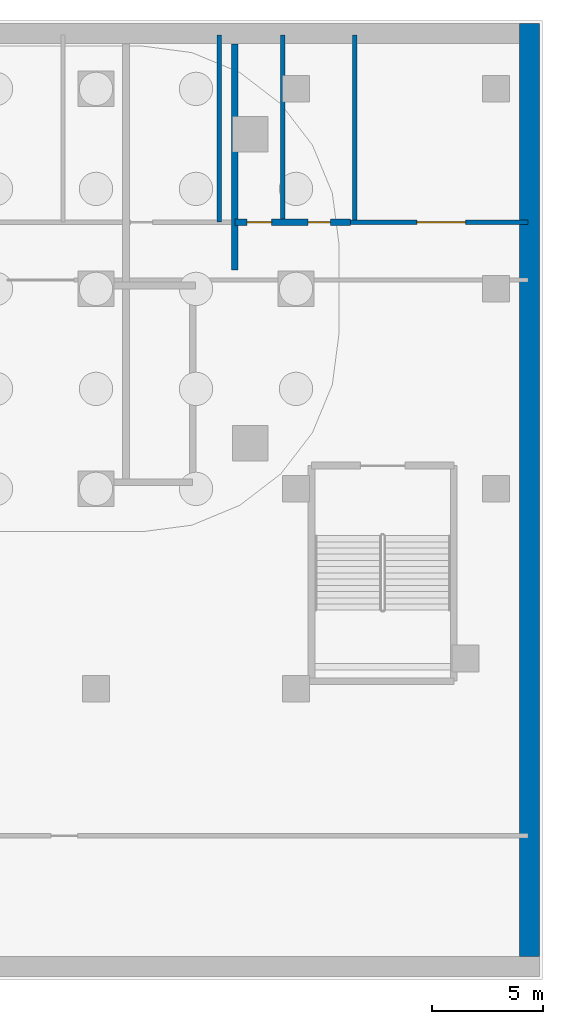
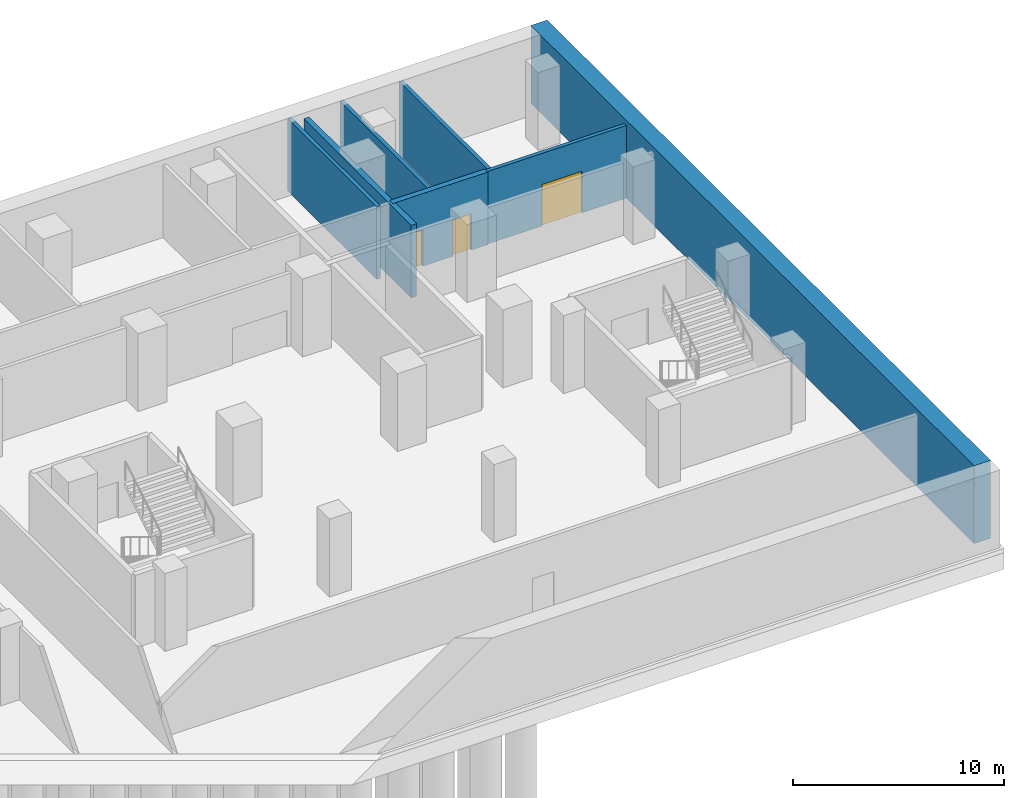
# One storey, part 6 of 13: 7 walls, 3 doors, 3 openings.
"""IFC4 building model written with IfcOpenShell, lengths in metres."""

from ifc_helpers import new_model, si_unit, direction, frame, frame_2d, origin, place, context, subcontext, project, spatial, rectangle, extrude, material, layer, layer_set, type_object, element, fill, save


model = new_model("IFC4")

# Units and contexts
model_context = context("Model", 3, precision=1e-05, world=origin(), true_north=direction((0.0, 1.0)))
body_context = subcontext(model_context, "Body", "Model", "MODEL_VIEW")
ifc_project = project(units=[si_unit("LENGTHUNIT", "METRE"), si_unit("AREAUNIT", "SQUARE_METRE"), si_unit("VOLUMEUNIT", "CUBIC_METRE"), si_unit("PLANEANGLEUNIT", "RADIAN"), si_unit("MASSUNIT", "GRAM", prefix="KILO")], contexts=[model_context])

# Site, building, storey
site_placement = place(None, origin())
site = spatial("IfcSite", under=ifc_project, at=site_placement, CompositionType="ELEMENT")
building_placement = place(site_placement, origin())
building = spatial("IfcBuilding", under=site, at=building_placement, Name="Ogive Portal Towers", CompositionType="ELEMENT")
storey_placement = place(building_placement, frame((0.0, 0.0, -9.0)))
storey = spatial("IfcBuildingStorey", under=building, at=storey_placement, Name="B2", CompositionType="ELEMENT", Elevation=-9.0)

# Wall, openings, doors
ifc_material_1 = material(Name="Concrete C50/60", Category="concrete")
ifc_layer_1 = layer(ifc_material_1, 0.300048828125)
ifc_layer_set_1 = layer_set([ifc_layer_1], Name="STAIR WALL 300 C50")
wall_type_1 = type_object("IfcWallType", Name="STAIR WALL 300 C50", PredefinedType="SHEAR", material=ifc_layer_set_1)
wall_1_placement = place(storey_placement, frame((91.75, 33.5, 0.0), z_axis=(0.0, 0.0, 1.0), x_axis=(1.0, 0.0, 0.0)))
wall_1 = element("IfcWall", 1, at=wall_1_placement, inside=storey, type_object=wall_type_1, Name="Stair wall support ST-P1 B2", PredefinedType="SHEAR", context=body_context, shape_type="SweptSolid", body=[
    extrude(rectangle(XDim=5.199951171875, YDim=0.300048828125, at=frame_2d((2.60009765625, 0.0))), origin(), (0.0, 0.0, 1.0), 4.199951171875),
])
opening_1_placement = place(wall_1_placement, frame((0.550048828125, 0.0, 0.0)))
opening_1 = element("IfcOpeningElement", 2, at=opening_1_placement, cuts=wall_1, Name="Opening PB2-003", PredefinedType="OPENING", context=body_context, shape_type="SweptSolid", body=[
    extrude(rectangle(XDim=1.10009765625, YDim=2.10009765625, at=frame_2d((0.550048828125, 1.050048828125))), frame((0.0, 0.16015625, 0.0), z_axis=(0.0, -1.0, 0.0), x_axis=(1.0, 0.0, 0.0)), (0.0, 0.0, 1.0), 0.320068359375),
])
opening_2_placement = place(wall_1_placement, frame((3.297119140625, 0.0, 0.0)))
opening_2 = element("IfcOpeningElement", 3, at=opening_2_placement, cuts=wall_1, Name="Opening PB2-009", PredefinedType="OPENING", context=body_context, shape_type="SweptSolid", body=[
    extrude(rectangle(XDim=1.0, YDim=2.10009765625, at=frame_2d((0.5, 1.050048828125))), frame((0.0, 0.16015625, 0.0), z_axis=(0.0, -1.0, 0.0), x_axis=(1.0, 0.0, 0.0)), (0.0, 0.0, 1.0), 0.320068359375),
])
ifc_material_2 = material(Name="Steel fire door", Category="steel")
door_type_1 = type_object("IfcDoorType", Name="DT-ACCESS-1100x2100-FD60S", OperationType="SINGLE_SWING_LEFT", PredefinedType="DOOR", material=ifc_material_2)
door_1_placement = place(opening_1_placement, origin())
door_1 = element("IfcDoor", 4, at=door_1_placement, inside=storey, type_object=door_type_1, Name="Door PB2-003", OperationType="SINGLE_SWING_LEFT", OverallHeight=2.10009765625, OverallWidth=1.10009765625, PredefinedType="DOOR", context=body_context, shape_type="SweptSolid", body=[
    extrude(rectangle(XDim=1.10009765625, YDim=2.10009765625, at=frame_2d((0.550048828125, 1.050048828125))), frame((0.0, 0.02490234375, 0.0), z_axis=(0.0, -1.0, 0.0), x_axis=(1.0, 0.0, 0.0)), (0.0, 0.0, 1.0), 0.050048828125),
])
fill(opening_1, door_1)
door_type_2 = type_object("IfcDoorType", Name="DT-SWING-1000x2100-FD60S", OperationType="SINGLE_SWING_LEFT", PredefinedType="DOOR", material=ifc_material_2)
door_2_placement = place(opening_2_placement, origin())
door_2 = element("IfcDoor", 5, at=door_2_placement, inside=storey, type_object=door_type_2, Name="Door PB2-009", OperationType="SINGLE_SWING_LEFT", OverallHeight=2.10009765625, OverallWidth=1.0, PredefinedType="DOOR", context=body_context, shape_type="SweptSolid", body=[
    extrude(rectangle(XDim=1.0, YDim=2.10009765625, at=frame_2d((0.5, 1.050048828125))), frame((0.0, 0.02490234375, 0.0), z_axis=(0.0, -1.0, 0.0), x_axis=(1.0, 0.0, 0.0)), (0.0, 0.0, 1.0), 0.050048828125),
])
fill(opening_2, door_2)

# Walls
wall_2_placement = place(storey_placement, frame((91.75, 31.35009765625, 0.0), z_axis=(0.0, 0.0, 1.0), x_axis=(0.0, 1.0, 0.0)))
element("IfcWall", 6, at=wall_2_placement, inside=storey, type_object=wall_type_1, Name="Stair wall support ST-P1 B2", PredefinedType="SHEAR", context=body_context, shape_type="SweptSolid", body=[
    extrude(rectangle(XDim=10.179931640625, YDim=0.300048828125, at=frame_2d((5.08984375, 0.0))), origin(), (0.0, 0.0, 1.0), 4.199951171875),
])
ifc_material_3 = material(Name="Concrete C40/50", Category="concrete")
ifc_layer_2 = layer(ifc_material_3, 0.89990234375)
ifc_layer_set_2 = layer_set([ifc_layer_2], Name="STATION WALL 900 C40")
wall_type_2 = type_object("IfcWallType", Name="STATION WALL 900 C40", PredefinedType="SOLIDWALL", material=ifc_layer_set_2)
wall_3_placement = place(storey_placement, frame((105.0, 0.449951171875, 0.0), z_axis=(0.0, 0.0, 1.0), x_axis=(0.0, 1.0, 0.0)))
element("IfcWall", 7, at=wall_3_placement, inside=storey, type_object=wall_type_2, Name="Station wall B2", PredefinedType="SOLIDWALL", context=body_context, shape_type="SweptSolid", body=[
    extrude(rectangle(XDim=42.0, YDim=0.89990234375, at=frame_2d((21.0, 0.0))), origin(), (0.0, 0.0, 1.0), 4.5),
])
ifc_material_4 = material(Name="Gypsum board partition on steel studs", Category="steel")
ifc_layer_3 = layer(ifc_material_4, 0.199951171875)
ifc_layer_set_3 = layer_set([ifc_layer_3], Name="WT-PART-200-EI 60")
wall_type_3 = type_object("IfcWallType", Name="WT-PART-200-EI 60", PredefinedType="PARTITIONING", material=ifc_layer_set_3)
for number, where, z_axis, x_axis, name in (
    (8, (91.052978515625, 33.5, 0.0), (0.0, 0.0, 1.0), (0.0, 1.0, 0.0), "Wall B2:w036"),
    (9, (93.9130859375, 33.5, 0.0), (0.0, 0.0, 1.0), (0.0, 1.0, 0.0), "Wall B2:w037"),
    (10, (97.152099609375, 33.5, 0.0), (0.0, 0.0, 1.0), (0.0, 1.0, 0.0), "Wall B2:w039"),
):
    element("IfcWall", number, at=place(storey_placement, frame(where, z_axis=z_axis, x_axis=x_axis)), inside=storey, type_object=wall_type_3, Name=name, PredefinedType="PARTITIONING", context=body_context, shape_type="SweptSolid", body=[
        extrude(rectangle(XDim=8.429931640625, YDim=0.199951171875, at=frame_2d((4.21484375, 0.0))), origin(), (0.0, 0.0, 1.0), 4.199951171875),
    ])

# Wall, opening, door
wall_4_placement = place(storey_placement, frame((96.949951171875, 33.5, 0.0), z_axis=(0.0, 0.0, 1.0), x_axis=(1.0, 0.0, 0.0)))
wall_4 = element("IfcWall", 11, at=wall_4_placement, inside=storey, type_object=wall_type_3, Name="Wall B2:w011", PredefinedType="PARTITIONING", context=body_context, shape_type="SweptSolid", body=[
    extrude(rectangle(XDim=7.97998046875, YDim=0.199951171875, at=frame_2d((3.989990234375, 0.0))), origin(), (0.0, 0.0, 1.0), 4.199951171875),
])
opening_3_placement = place(wall_4_placement, frame((2.988037109375, 0.0, 0.0)))
opening_3 = element("IfcOpeningElement", 12, at=opening_3_placement, cuts=wall_4, Name="Opening PB2-010", PredefinedType="OPENING", context=body_context, shape_type="SweptSolid", body=[
    extrude(rectangle(XDim=2.199951171875, YDim=2.39990234375, at=frame_2d((1.10009765625, 1.199951171875))), frame((0.0, 0.10986328125, 0.0), z_axis=(0.0, -1.0, 0.0), x_axis=(1.0, 0.0, 0.0)), (0.0, 0.0, 1.0), 0.219970703125),
])
door_type_3 = type_object("IfcDoorType", Name="DT-PLANT-2200x2400-FD60S", OperationType="SINGLE_SWING_LEFT", PredefinedType="DOOR", material=ifc_material_2)
door_3_placement = place(opening_3_placement, origin())
door_3 = element("IfcDoor", 13, at=door_3_placement, inside=storey, type_object=door_type_3, Name="Door PB2-010", OperationType="SINGLE_SWING_RIGHT", OverallHeight=2.39990234375, OverallWidth=2.199951171875, PredefinedType="DOOR", context=body_context, shape_type="SweptSolid", body=[
    extrude(rectangle(XDim=2.199951171875, YDim=2.39990234375, at=frame_2d((1.10009765625, 1.199951171875))), frame((0.0, 0.02490234375, 0.0), z_axis=(0.0, -1.0, 0.0), x_axis=(1.0, 0.0, 0.0)), (0.0, 0.0, 1.0), 0.050048828125),
])
fill(opening_3, door_3)

save(model, "model.ifc")
